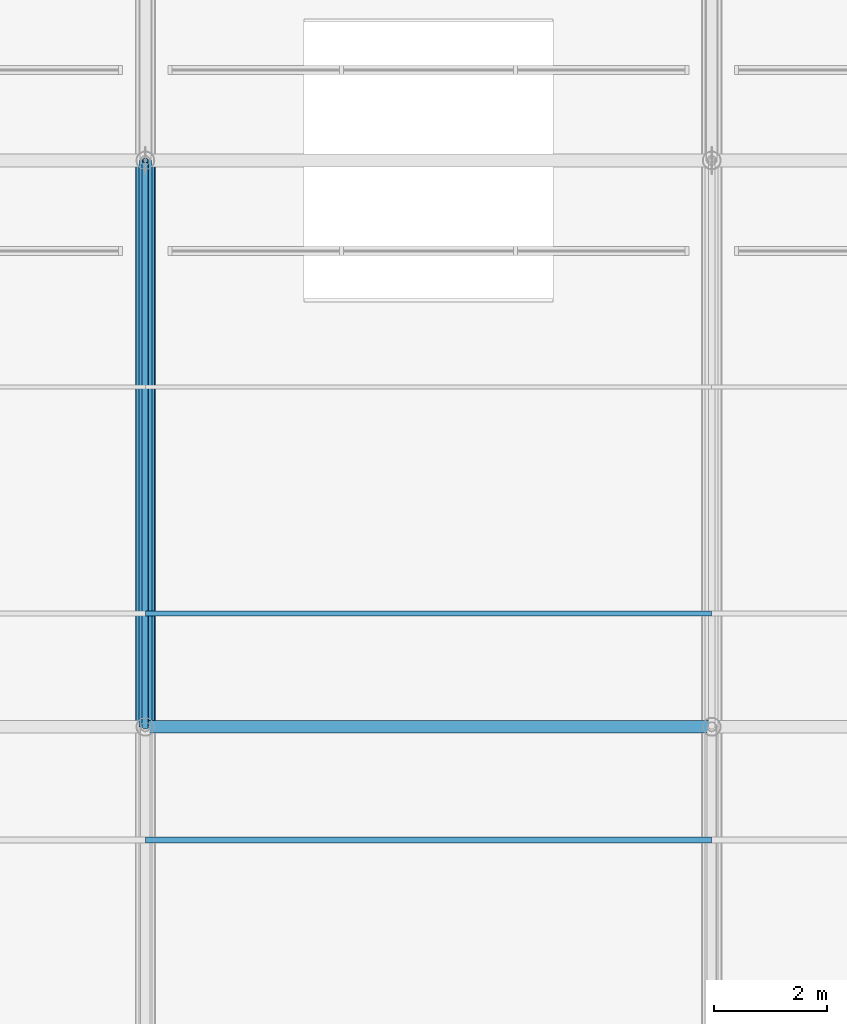
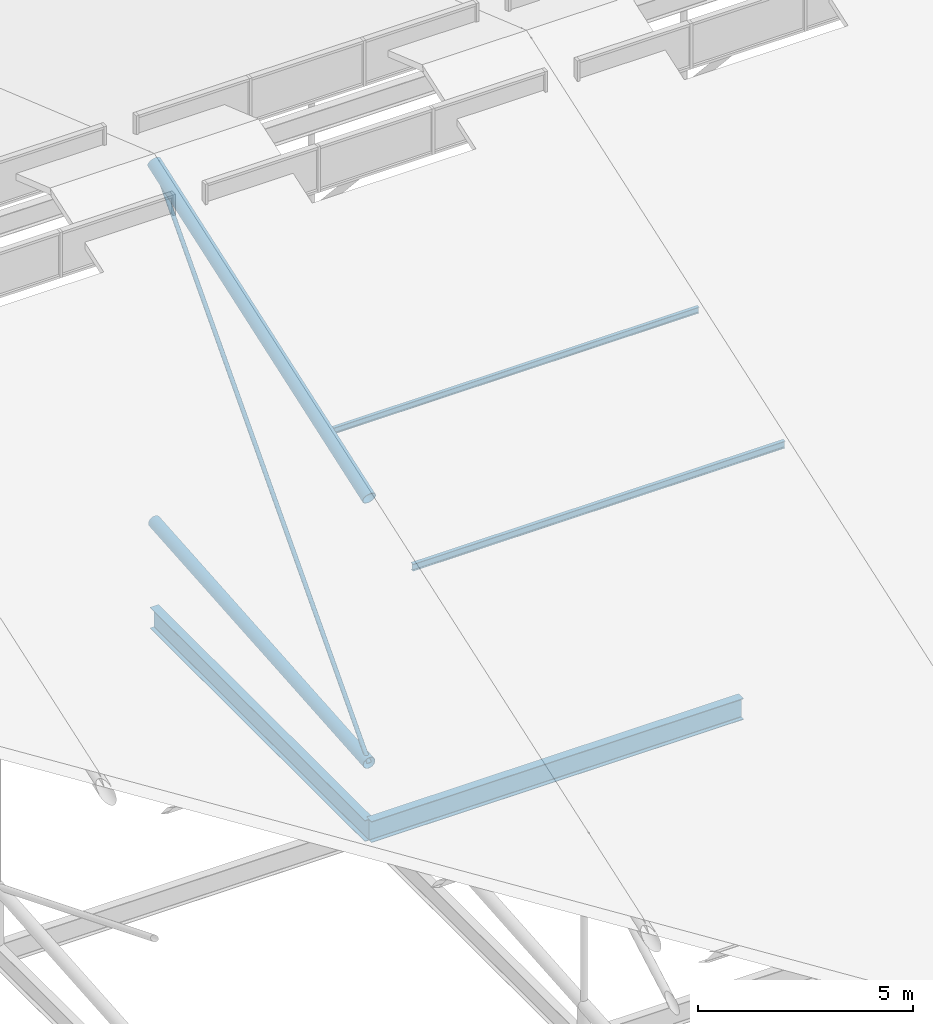
# One storey, part 23 of 93: 5 members, 2 beams.
"""IFC4 building model written with IfcOpenShell, lengths in metres."""

from ifc_helpers import new_model, si_unit, derived_unit, direction, frame, origin, origin_2d_with_axis, place, context, subcontext, project, spatial, hollow_circle, i_section, extrude, material, material_profile, profile_set, type_object, element, save


model = new_model("IFC4")

# Units and contexts
model_context = context("Model", 3, precision=1e-05, world=origin(), true_north=direction((0.0, 1.0)))
body_context = subcontext(model_context, "Body", "Model", "MODEL_VIEW")
ifc_project = project(units=[si_unit("LENGTHUNIT", "METRE"), si_unit("AREAUNIT", "SQUARE_METRE"), si_unit("VOLUMEUNIT", "CUBIC_METRE"), si_unit("PLANEANGLEUNIT", "RADIAN"), si_unit("MASSUNIT", "GRAM", prefix="KILO"), derived_unit("THERMALTRANSMITTANCEUNIT", [(si_unit("POWERUNIT", "WATT"), 1), (si_unit("LENGTHUNIT", "METRE"), -2), (si_unit("THERMODYNAMICTEMPERATUREUNIT", "KELVIN"), -1)])], contexts=[model_context])

# Site, building, storey
site_placement = place(None, origin())
site = spatial("IfcSite", under=ifc_project, at=site_placement, CompositionType="ELEMENT")
building_placement = place(site_placement, origin())
building = spatial("IfcBuilding", under=site, at=building_placement, Name="Cinnabar Yard Market Hall", CompositionType="ELEMENT")
storey_placement = place(building_placement, frame((0.0, 0.0, 23.800048828125)))
storey = spatial("IfcBuildingStorey", under=building, at=storey_placement, Name="ROOF", CompositionType="ELEMENT", Elevation=23.800048828125)

# Beams
ifc_material_1 = material(Name="Steel Grade 300 (300 MPa)", Category="steel")
ifc_material_profile_1 = material_profile(ifc_material_1, i_section(OverallWidth=0.22802734375, OverallDepth=0.60205078125, WebThickness=0.010498046875, FlangeThickness=0.014892578125, FilletRadius=0.013916015625, at=origin_2d_with_axis()), Name="610UB101")
ifc_profile_set_1 = profile_set([ifc_material_profile_1], Name="Steel Grade 300 (300 MPa)")
beam_type = type_object("IfcBeamType", Name="BM-B02", PredefinedType="BEAM", material=ifc_profile_set_1)
for number, where, z_axis, x_axis, name in (
    (1, (116.0, 34.0, -9.700927734375), (1.0, 0.0, 0.0), (0.0, 1.0, 0.0), "Hall Longitudinal Tie Girder 00384"),
    (2, (116.0, 34.0, -9.700927734375), (0.0, 1.0, 0.0), (-1.0, 0.0, 0.0), "Hall Transverse Tie Girder 00429"),
):
    element("IfcBeam", number, at=place(storey_placement, frame(where, z_axis=z_axis, x_axis=x_axis)), inside=storey, type_object=beam_type, Name=name, PredefinedType="BEAM", context=body_context, shape_type="SweptSolid", body=[
        extrude(i_section(OverallWidth=0.22802734375, OverallDepth=0.60205078125, WebThickness=0.010498046875, FlangeThickness=0.014892578125, FilletRadius=0.013916015625, at=origin_2d_with_axis()), origin(), (0.0, 0.0, 1.0), 10.0),
    ])

# Members
ifc_material_2 = material(Name="Cold-formed steel C350L0", Category="steel")
ifc_material_profile_2 = material_profile(ifc_material_2, hollow_circle(Radius=0.161865234375, WallThickness=0.009521484375, at=origin_2d_with_axis()), Name="323.9x9.5CHS")
ifc_profile_set_2 = profile_set([ifc_material_profile_2], Name="Cold-formed steel C350L0")
member_type_1 = type_object("IfcMemberType", Name="MB-BC01", PredefinedType="CHORD", material=ifc_profile_set_2)
member_1_placement = place(storey_placement, frame((116.0, 34.0, -7.800048828125), z_axis=(0.0, 0.99681489162, 0.07975005859), x_axis=(-1.0, 0.0, 0.0)))
element("IfcMember", 3, at=member_1_placement, inside=storey, type_object=member_type_1, Name="Hall Truss 116 Bottom Chord 3", PredefinedType="CHORD", context=body_context, shape_type="SweptSolid", body=[
    extrude(hollow_circle(Radius=0.161865234375, WallThickness=0.009521484375, at=origin_2d_with_axis()), origin(), (0.0, 0.0, 1.0), 10.031982421875),
])
ifc_material_profile_3 = material_profile(ifc_material_2, hollow_circle(Radius=0.05712890625, WallThickness=0.006103515625, at=origin_2d_with_axis()), Name="114.3x6.0CHS")
ifc_profile_set_3 = profile_set([ifc_material_profile_3], Name="Cold-formed steel C350L0")
member_type_2 = type_object("IfcMemberType", Name="MB-DG03", PredefinedType="BRACE", material=ifc_profile_set_3)
member_2_placement = place(storey_placement, frame((116.0, 34.0, -7.800048828125), z_axis=(0.0, 0.672672793996, 0.739940073396), x_axis=(-1.0, 0.0, 0.0)))
element("IfcMember", 4, at=member_2_placement, inside=storey, type_object=member_type_2, Name="Hall Truss 116 Diagonal 3", PredefinedType="BRACE", context=body_context, shape_type="SweptSolid", body=[
    extrude(hollow_circle(Radius=0.05712890625, WallThickness=0.006103515625, at=origin_2d_with_axis()), origin(), (0.0, 0.0, 1.0), 14.865966796875),
])
ifc_material_profile_4 = material_profile(ifc_material_1, i_section(OverallWidth=0.09912109375, OverallDepth=0.197998046875, WebThickness=0.00439453125, FlangeThickness=0.007080078125, FilletRadius=0.0087890625, at=origin_2d_with_axis()), Name="200UB18.2")
ifc_profile_set_4 = profile_set([ifc_material_profile_4], Name="Steel Grade 300 (300 MPa)")
member_type_3 = type_object("IfcMemberType", Name="MB-PU05", PredefinedType="PURLIN", material=ifc_profile_set_4)
member_3_placement = place(storey_placement, frame((116.0, 32.0, -1.016845703125), z_axis=(1.0, 0.0, 0.0), x_axis=(0.0, 1.0, 0.0)))
element("IfcMember", 5, at=member_3_placement, inside=storey, type_object=member_type_3, Name="Hall Roof Purlin Y32 X116", PredefinedType="PURLIN", context=body_context, shape_type="SweptSolid", body=[
    extrude(i_section(OverallWidth=0.09912109375, OverallDepth=0.197998046875, WebThickness=0.00439453125, FlangeThickness=0.007080078125, FilletRadius=0.0087890625, at=origin_2d_with_axis()), origin(), (0.0, 0.0, 1.0), 10.0),
])
ifc_material_profile_5 = material_profile(ifc_material_1, i_section(OverallWidth=0.090087890625, OverallDepth=0.173095703125, WebThickness=0.00439453125, FlangeThickness=0.007080078125, FilletRadius=0.0087890625, at=origin_2d_with_axis()), Name="180UB16.1")
ifc_profile_set_5 = profile_set([ifc_material_profile_5], Name="Steel Grade 300 (300 MPa)")
member_type_4 = type_object("IfcMemberType", Name="MB-PU06", PredefinedType="PURLIN", material=ifc_profile_set_5)
member_4_placement = place(storey_placement, frame((116.0, 36.0, 0.37548828125), z_axis=(1.0, 0.0, 0.0), x_axis=(0.0, 1.0, 0.0)))
element("IfcMember", 6, at=member_4_placement, inside=storey, type_object=member_type_4, Name="Hall Roof Purlin Y36 X116", PredefinedType="PURLIN", context=body_context, shape_type="SweptSolid", body=[
    extrude(i_section(OverallWidth=0.090087890625, OverallDepth=0.173095703125, WebThickness=0.00439453125, FlangeThickness=0.007080078125, FilletRadius=0.0087890625, at=origin_2d_with_axis()), origin(), (0.0, 0.0, 1.0), 10.0),
])
ifc_material_profile_6 = material_profile(ifc_material_2, hollow_circle(Radius=0.177734375, WallThickness=0.0126953125, at=origin_2d_with_axis()), Name="355.6x12.7CHS")
ifc_profile_set_6 = profile_set([ifc_material_profile_6], Name="Cold-formed steel C350L0")
member_type_5 = type_object("IfcMemberType", Name="MB-TC01", PredefinedType="CHORD", material=ifc_profile_set_6)
member_5_placement = place(storey_placement, frame((116.0, 34.0, -0.28076171875), z_axis=(0.0, 0.944424919483, 0.328727199147), x_axis=(-1.0, 0.0, 0.0)))
element("IfcMember", 7, at=member_5_placement, inside=storey, type_object=member_type_5, Name="Hall Truss 116 Top Chord 3", PredefinedType="CHORD", context=body_context, shape_type="SweptSolid", body=[
    extrude(hollow_circle(Radius=0.177734375, WallThickness=0.0126953125, at=origin_2d_with_axis()), origin(), (0.0, 0.0, 1.0), 10.58837890625),
])

save(model, "model.ifc")
